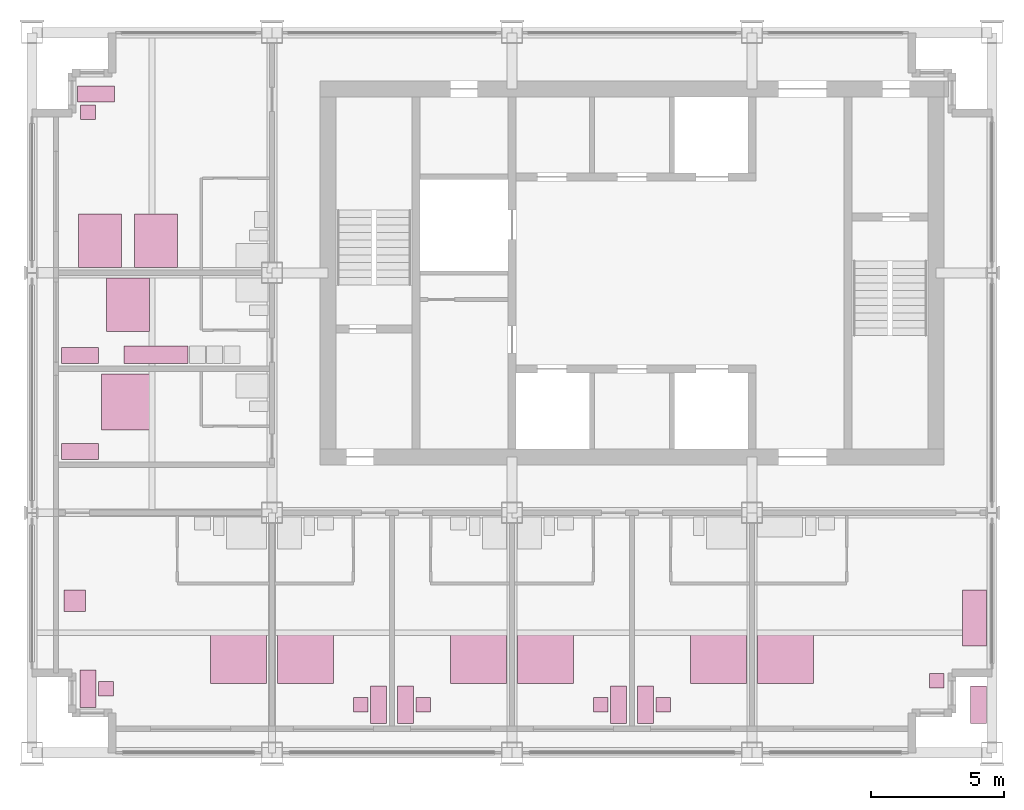
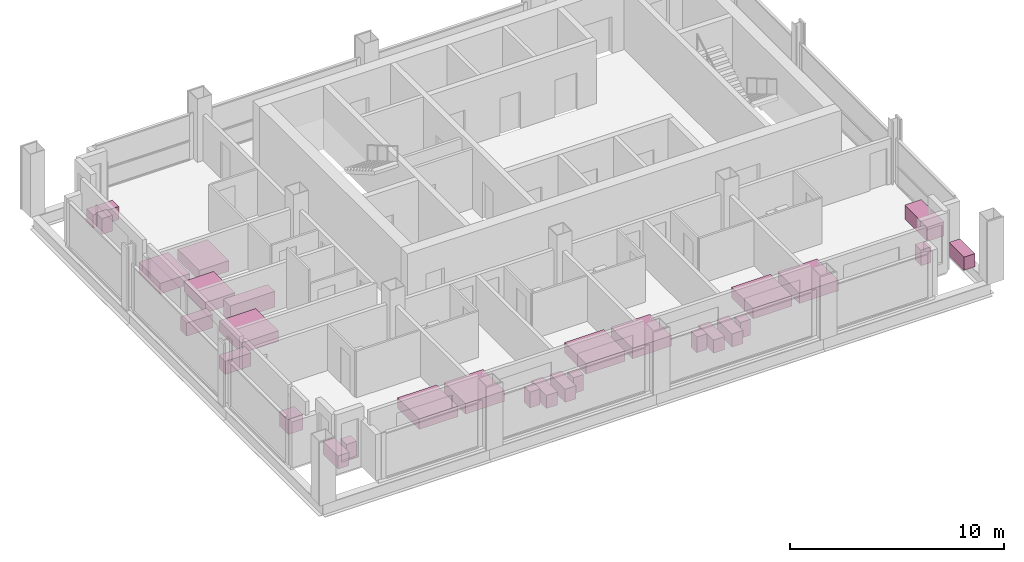
# One storey, part 12 of 12: 29 furniture elements.
"""IFC4 building model written with IfcOpenShell, lengths in metres."""

from ifc_helpers import new_model, si_unit, direction, frame, origin, origin_2d, place, context, subcontext, project, spatial, rectangle, extrude, element, save


model = new_model("IFC4")

# Units and contexts
model_context = context("Model", 3, precision=1e-05, world=origin(), true_north=direction((0.0, 1.0)))
body_context = subcontext(model_context, "Body", "Model", "MODEL_VIEW")
ifc_project = project(units=[si_unit("LENGTHUNIT", "METRE"), si_unit("AREAUNIT", "SQUARE_METRE"), si_unit("VOLUMEUNIT", "CUBIC_METRE"), si_unit("PLANEANGLEUNIT", "RADIAN"), si_unit("MASSUNIT", "GRAM", prefix="KILO")], contexts=[model_context])

# Site, building, storey
site_placement = place(None, origin())
site = spatial("IfcSite", under=ifc_project, at=site_placement, CompositionType="ELEMENT")
building_placement = place(site_placement, origin())
building = spatial("IfcBuilding", under=site, at=building_placement, Name="Loomwork Tower", CompositionType="ELEMENT")
storey_placement = place(building_placement, frame((0.0, 0.0, 251.800048828125)))
storey = spatial("IfcBuildingStorey", under=building, at=storey_placement, Name="L69", CompositionType="ELEMENT", Elevation=251.800048828125)

# Furniture
furniture_1_placement = place(storey_placement, frame((7.75, 3.60009765625, 0.0), z_axis=(0.0, 0.0, 1.0), x_axis=(1.0, 0.0, 0.0)))
element("IfcFurniture", 1, at=furniture_1_placement, inside=storey, Name="King bed L69", PredefinedType="BED", context=body_context, shape_type="SweptSolid", body=[
    extrude(rectangle(XDim=2.10009765625, YDim=2.0, at=origin_2d()), origin(), (0.0, 0.0, 1.0), 0.60009765625),
])
furniture_2_placement = place(storey_placement, frame((2.10009765625, 2.39990234375, 0.0), z_axis=(0.0, 0.0, 1.0), x_axis=(1.0, 0.0, 0.0)))
element("IfcFurniture", 2, at=furniture_2_placement, inside=storey, Name="Writing desk L69", PredefinedType="DESK", context=body_context, shape_type="SweptSolid", body=[
    extrude(rectangle(XDim=0.60009765625, YDim=1.39990234375, at=origin_2d()), origin(), (0.0, 0.0, 1.0), 0.75),
])
furniture_3_placement = place(storey_placement, frame((2.77490234375, 2.39990234375, 0.0), z_axis=(0.0, 0.0, 1.0), x_axis=(1.0, 0.0, 0.0)))
element("IfcFurniture", 3, at=furniture_3_placement, inside=storey, Name="Desk chair L69", PredefinedType="CHAIR", context=body_context, shape_type="SweptSolid", body=[
    extrude(rectangle(XDim=0.550048828125, YDim=0.550048828125, at=origin_2d()), origin(), (0.0, 0.0, 1.0), 0.89990234375),
])
furniture_4_placement = place(storey_placement, frame((1.60009765625, 5.699951171875, 0.0), z_axis=(0.0, 0.0, 1.0), x_axis=(1.0, 0.0, 0.0)))
element("IfcFurniture", 4, at=furniture_4_placement, inside=storey, Name="Lounge armchair L69", PredefinedType="CHAIR", context=body_context, shape_type="SweptSolid", body=[
    extrude(rectangle(XDim=0.800048828125, YDim=0.800048828125, at=origin_2d()), origin(), (0.0, 0.0, 1.0), 0.85009765625),
])
furniture_5_placement = place(storey_placement, frame((10.25, 3.60009765625, 0.0), z_axis=(0.0, 0.0, 1.0), x_axis=(1.0, 0.0, 0.0)))
element("IfcFurniture", 5, at=furniture_5_placement, inside=storey, Name="King bed L69", PredefinedType="BED", context=body_context, shape_type="SweptSolid", body=[
    extrude(rectangle(XDim=2.10009765625, YDim=2.0, at=origin_2d()), origin(), (0.0, 0.0, 1.0), 0.60009765625),
])
furniture_6_placement = place(storey_placement, frame((13.0, 1.800048828125, 0.0), z_axis=(0.0, 0.0, 1.0), x_axis=(1.0, 0.0, 0.0)))
element("IfcFurniture", 6, at=furniture_6_placement, inside=storey, Name="Writing desk L69", PredefinedType="DESK", context=body_context, shape_type="SweptSolid", body=[
    extrude(rectangle(XDim=0.60009765625, YDim=1.39990234375, at=origin_2d()), origin(), (0.0, 0.0, 1.0), 0.75),
])
furniture_7_placement = place(storey_placement, frame((12.324951171875, 1.800048828125, 0.0), z_axis=(0.0, 0.0, 1.0), x_axis=(1.0, 0.0, 0.0)))
element("IfcFurniture", 7, at=furniture_7_placement, inside=storey, Name="Desk chair L69", PredefinedType="CHAIR", context=body_context, shape_type="SweptSolid", body=[
    extrude(rectangle(XDim=0.550048828125, YDim=0.550048828125, at=origin_2d()), origin(), (0.0, 0.0, 1.0), 0.89990234375),
])
furniture_8_placement = place(storey_placement, frame((16.75, 3.60009765625, 0.0), z_axis=(0.0, 0.0, 1.0), x_axis=(1.0, 0.0, 0.0)))
element("IfcFurniture", 8, at=furniture_8_placement, inside=storey, Name="King bed L69", PredefinedType="BED", context=body_context, shape_type="SweptSolid", body=[
    extrude(rectangle(XDim=2.10009765625, YDim=2.0, at=origin_2d()), origin(), (0.0, 0.0, 1.0), 0.60009765625),
])
furniture_9_placement = place(storey_placement, frame((14.0, 1.800048828125, 0.0), z_axis=(0.0, 0.0, 1.0), x_axis=(1.0, 0.0, 0.0)))
element("IfcFurniture", 9, at=furniture_9_placement, inside=storey, Name="Writing desk L69", PredefinedType="DESK", context=body_context, shape_type="SweptSolid", body=[
    extrude(rectangle(XDim=0.60009765625, YDim=1.39990234375, at=origin_2d()), origin(), (0.0, 0.0, 1.0), 0.75),
])
furniture_10_placement = place(storey_placement, frame((14.675048828125, 1.800048828125, 0.0), z_axis=(0.0, 0.0, 1.0), x_axis=(1.0, 0.0, 0.0)))
element("IfcFurniture", 10, at=furniture_10_placement, inside=storey, Name="Desk chair L69", PredefinedType="CHAIR", context=body_context, shape_type="SweptSolid", body=[
    extrude(rectangle(XDim=0.550048828125, YDim=0.550048828125, at=origin_2d()), origin(), (0.0, 0.0, 1.0), 0.89990234375),
])
furniture_11_placement = place(storey_placement, frame((19.25, 3.60009765625, 0.0), z_axis=(0.0, 0.0, 1.0), x_axis=(1.0, 0.0, 0.0)))
element("IfcFurniture", 11, at=furniture_11_placement, inside=storey, Name="King bed L69", PredefinedType="BED", context=body_context, shape_type="SweptSolid", body=[
    extrude(rectangle(XDim=2.10009765625, YDim=2.0, at=origin_2d()), origin(), (0.0, 0.0, 1.0), 0.60009765625),
])
furniture_12_placement = place(storey_placement, frame((22.0, 1.800048828125, 0.0), z_axis=(0.0, 0.0, 1.0), x_axis=(1.0, 0.0, 0.0)))
element("IfcFurniture", 12, at=furniture_12_placement, inside=storey, Name="Writing desk L69", PredefinedType="DESK", context=body_context, shape_type="SweptSolid", body=[
    extrude(rectangle(XDim=0.60009765625, YDim=1.39990234375, at=origin_2d()), origin(), (0.0, 0.0, 1.0), 0.75),
])
furniture_13_placement = place(storey_placement, frame((21.324951171875, 1.800048828125, 0.0), z_axis=(0.0, 0.0, 1.0), x_axis=(1.0, 0.0, 0.0)))
element("IfcFurniture", 13, at=furniture_13_placement, inside=storey, Name="Desk chair L69", PredefinedType="CHAIR", context=body_context, shape_type="SweptSolid", body=[
    extrude(rectangle(XDim=0.550048828125, YDim=0.550048828125, at=origin_2d()), origin(), (0.0, 0.0, 1.0), 0.89990234375),
])
furniture_14_placement = place(storey_placement, frame((25.75, 3.60009765625, 0.0), z_axis=(0.0, 0.0, 1.0), x_axis=(1.0, 0.0, 0.0)))
element("IfcFurniture", 14, at=furniture_14_placement, inside=storey, Name="King bed L69", PredefinedType="BED", context=body_context, shape_type="SweptSolid", body=[
    extrude(rectangle(XDim=2.10009765625, YDim=2.0, at=origin_2d()), origin(), (0.0, 0.0, 1.0), 0.60009765625),
])
furniture_15_placement = place(storey_placement, frame((23.0, 1.800048828125, 0.0), z_axis=(0.0, 0.0, 1.0), x_axis=(1.0, 0.0, 0.0)))
element("IfcFurniture", 15, at=furniture_15_placement, inside=storey, Name="Writing desk L69", PredefinedType="DESK", context=body_context, shape_type="SweptSolid", body=[
    extrude(rectangle(XDim=0.60009765625, YDim=1.39990234375, at=origin_2d()), origin(), (0.0, 0.0, 1.0), 0.75),
])
furniture_16_placement = place(storey_placement, frame((23.675048828125, 1.800048828125, 0.0), z_axis=(0.0, 0.0, 1.0), x_axis=(1.0, 0.0, 0.0)))
element("IfcFurniture", 16, at=furniture_16_placement, inside=storey, Name="Desk chair L69", PredefinedType="CHAIR", context=body_context, shape_type="SweptSolid", body=[
    extrude(rectangle(XDim=0.550048828125, YDim=0.550048828125, at=origin_2d()), origin(), (0.0, 0.0, 1.0), 0.89990234375),
])
furniture_17_placement = place(storey_placement, frame((28.25, 3.60009765625, 0.0), z_axis=(0.0, 0.0, 1.0), x_axis=(1.0, 0.0, 0.0)))
element("IfcFurniture", 17, at=furniture_17_placement, inside=storey, Name="King bed L69", PredefinedType="BED", context=body_context, shape_type="SweptSolid", body=[
    extrude(rectangle(XDim=2.10009765625, YDim=2.0, at=origin_2d()), origin(), (0.0, 0.0, 1.0), 0.60009765625),
])
furniture_18_placement = place(storey_placement, frame((35.5, 1.800048828125, 0.0), z_axis=(0.0, 0.0, 1.0), x_axis=(1.0, 0.0, 0.0)))
element("IfcFurniture", 18, at=furniture_18_placement, inside=storey, Name="Writing desk L69", PredefinedType="DESK", context=body_context, shape_type="SweptSolid", body=[
    extrude(rectangle(XDim=0.60009765625, YDim=1.39990234375, at=origin_2d()), origin(), (0.0, 0.0, 1.0), 0.75),
])
furniture_19_placement = place(storey_placement, frame((33.925048828125, 2.699951171875, 0.0), z_axis=(0.0, 0.0, 1.0), x_axis=(1.0, 0.0, 0.0)))
element("IfcFurniture", 19, at=furniture_19_placement, inside=storey, Name="Desk chair L69", PredefinedType="CHAIR", context=body_context, shape_type="SweptSolid", body=[
    extrude(rectangle(XDim=0.550048828125, YDim=0.550048828125, at=origin_2d()), origin(), (0.0, 0.0, 1.0), 0.89990234375),
])
furniture_20_placement = place(storey_placement, frame((35.35009765625, 5.050048828125, 0.0), z_axis=(0.0, 0.0, 1.0), x_axis=(1.0, 0.0, 0.0)))
element("IfcFurniture", 20, at=furniture_20_placement, inside=storey, Name="Sofa L69", PredefinedType="SOFA", context=body_context, shape_type="SweptSolid", body=[
    extrude(rectangle(XDim=0.89990234375, YDim=2.10009765625, at=origin_2d()), origin(), (0.0, 0.0, 1.0), 0.800048828125),
])
furniture_21_placement = place(storey_placement, frame((3.60009765625, 13.14990234375, 0.0), z_axis=(0.0, 0.0, 1.0), x_axis=(1.0, 0.0, 0.0)))
element("IfcFurniture", 21, at=furniture_21_placement, inside=storey, Name="King bed L69", PredefinedType="BED", context=body_context, shape_type="SweptSolid", body=[
    extrude(rectangle(XDim=2.0, YDim=2.10009765625, at=origin_2d()), origin(), (0.0, 0.0, 1.0), 0.60009765625),
])
furniture_22_placement = place(storey_placement, frame((1.800048828125, 11.300048828125, 0.0), z_axis=(0.0, 0.0, 1.0), x_axis=(1.0, 0.0, 0.0)))
element("IfcFurniture", 22, at=furniture_22_placement, inside=storey, Name="Writing desk L69", PredefinedType="DESK", context=body_context, shape_type="SweptSolid", body=[
    extrude(rectangle(XDim=1.39990234375, YDim=0.60009765625, at=origin_2d()), origin(), (0.0, 0.0, 1.0), 0.75),
])
furniture_23_placement = place(storey_placement, frame((3.60009765625, 16.800048828125, 0.0), z_axis=(0.0, 0.0, 1.0), x_axis=(1.0, 0.0, 0.0)))
element("IfcFurniture", 23, at=furniture_23_placement, inside=storey, Name="Queen bed L69", PredefinedType="BED", context=body_context, shape_type="SweptSolid", body=[
    extrude(rectangle(XDim=1.60009765625, YDim=2.0, at=origin_2d()), origin(), (0.0, 0.0, 1.0), 0.60009765625),
])
furniture_24_placement = place(storey_placement, frame((1.800048828125, 14.89990234375, 0.0), z_axis=(0.0, 0.0, 1.0), x_axis=(1.0, 0.0, 0.0)))
element("IfcFurniture", 24, at=furniture_24_placement, inside=storey, Name="Writing desk L69", PredefinedType="DESK", context=body_context, shape_type="SweptSolid", body=[
    extrude(rectangle(XDim=1.39990234375, YDim=0.60009765625, at=origin_2d()), origin(), (0.0, 0.0, 1.0), 0.75),
])
furniture_25_placement = place(storey_placement, frame((4.64990234375, 14.925048828125, 0.0), z_axis=(0.0, 0.0, 1.0), x_axis=(1.0, 0.0, 0.0)))
element("IfcFurniture", 25, at=furniture_25_placement, inside=storey, Name="Kitchenette counter L69", ObjectType="KITCHENETTE", PredefinedType="USERDEFINED", context=body_context, shape_type="SweptSolid", body=[
    extrude(rectangle(XDim=2.39990234375, YDim=0.64990234375, at=origin_2d()), origin(), (0.0, 0.0, 1.0), 0.89990234375),
])
for number, where, z_axis, x_axis, name in (
    (26, (4.64990234375, 19.199951171875, 0.0), (0.0, 0.0, 1.0), (1.0, 0.0, 0.0), "Queen bed L69"),
    (27, (2.550048828125, 19.199951171875, 0.0), (0.0, 0.0, 1.0), (1.0, 0.0, 0.0), "Queen bed L69"),
):
    element("IfcFurniture", number, at=place(storey_placement, frame(where, z_axis=z_axis, x_axis=x_axis)), inside=storey, Name=name, PredefinedType="BED", context=body_context, shape_type="SweptSolid", body=[
        extrude(rectangle(XDim=1.60009765625, YDim=2.0, at=origin_2d()), origin(), (0.0, 0.0, 1.0), 0.60009765625),
    ])
furniture_26_placement = place(storey_placement, frame((2.39990234375, 24.699951171875, 0.0), z_axis=(0.0, 0.0, 1.0), x_axis=(1.0, 0.0, 0.0)))
element("IfcFurniture", 28, at=furniture_26_placement, inside=storey, Name="Writing desk L69", PredefinedType="DESK", context=body_context, shape_type="SweptSolid", body=[
    extrude(rectangle(XDim=1.39990234375, YDim=0.60009765625, at=origin_2d()), origin(), (0.0, 0.0, 1.0), 0.75),
])
furniture_27_placement = place(storey_placement, frame((2.10009765625, 24.02490234375, 0.0), z_axis=(0.0, 0.0, 1.0), x_axis=(1.0, 0.0, 0.0)))
element("IfcFurniture", 29, at=furniture_27_placement, inside=storey, Name="Desk chair L69", PredefinedType="CHAIR", context=body_context, shape_type="SweptSolid", body=[
    extrude(rectangle(XDim=0.550048828125, YDim=0.550048828125, at=origin_2d()), origin(), (0.0, 0.0, 1.0), 0.89990234375),
])

save(model, "model.ifc")
